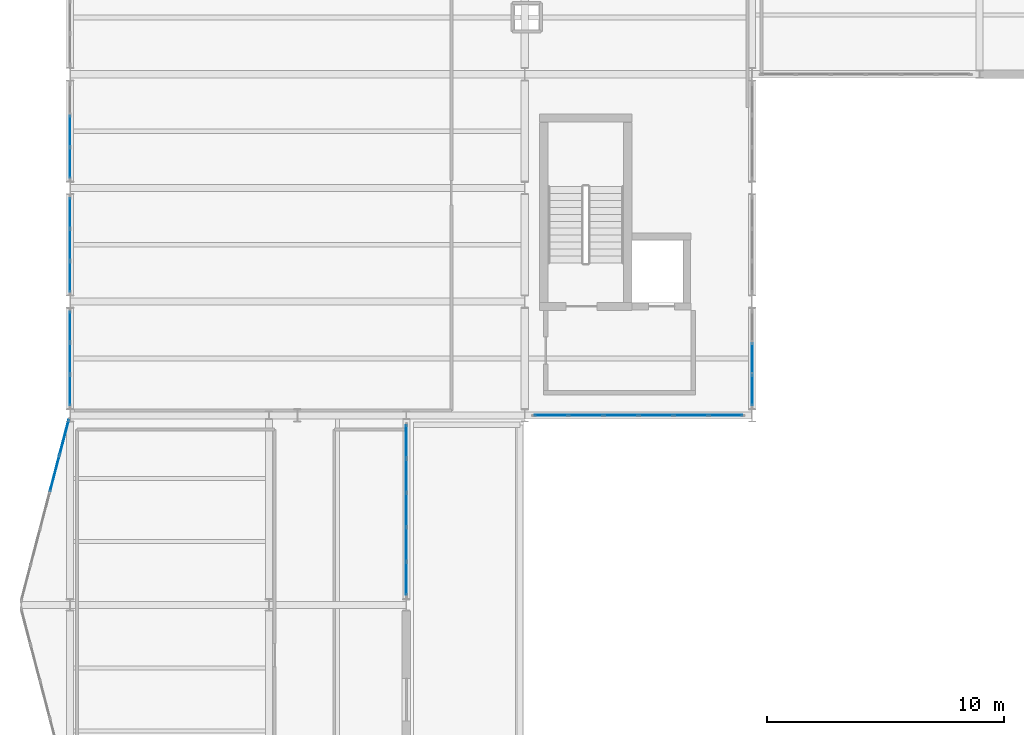
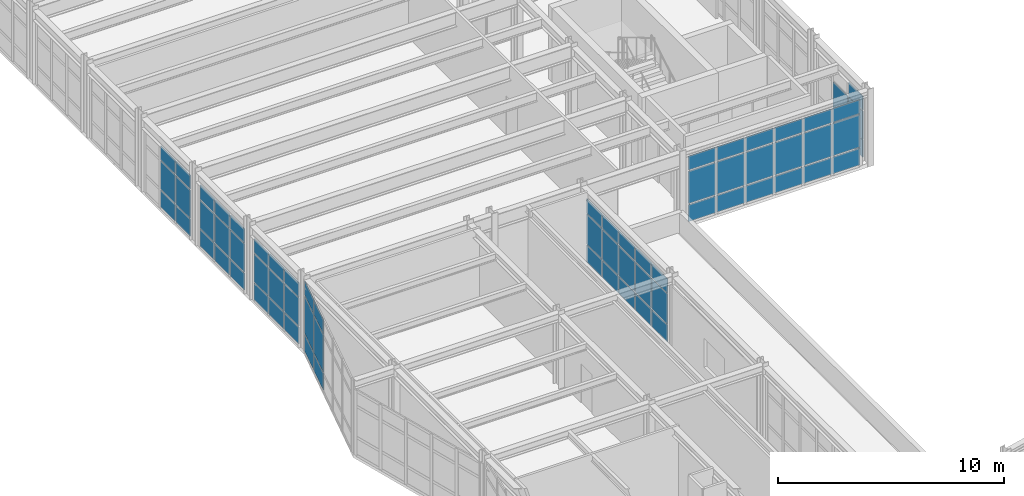
# One storey, part 44 of 64: 68 plates, 7 elements without a shape of their own.
"""IFC4 building model written with IfcOpenShell, lengths in metres."""

from ifc_helpers import new_model, si_unit, direction, frame, origin, origin_2d, place, context, subcontext, project, spatial, rectangle, extrude, material, layer, layer_set, type_object, element, aggregate, save


model = new_model("IFC4")

# Units and contexts
model_context = context("Model", 3, precision=1e-05, world=origin(), true_north=direction((0.0, 1.0)))
body_context = subcontext(model_context, "Body", "Model", "MODEL_VIEW")
ifc_project = project(units=[si_unit("LENGTHUNIT", "METRE"), si_unit("AREAUNIT", "SQUARE_METRE"), si_unit("VOLUMEUNIT", "CUBIC_METRE"), si_unit("PLANEANGLEUNIT", "RADIAN"), si_unit("MASSUNIT", "GRAM", prefix="KILO")], contexts=[model_context])

# Site, building, storey
site_placement = place(None, origin())
site = spatial("IfcSite", under=ifc_project, at=site_placement, CompositionType="ELEMENT")
building_placement = place(site_placement, origin())
building = spatial("IfcBuilding", under=site, at=building_placement, Name="Nordkorset Police Headquarters", CompositionType="ELEMENT")
storey_placement = place(building_placement, frame((0.0, 0.0, 17.85009765625)))
storey = spatial("IfcBuildingStorey", under=building, at=storey_placement, Name="L04", CompositionType="ELEMENT", Elevation=17.85009765625)

# Curtain wall, plates
ifc_material_1 = material(Name="Aluminium alloy AW-6060", Category="aluminium")
ifc_layer_1 = layer(ifc_material_1, 0.179931640625, Name="Aluminium alloy AW-6060")
ifc_layer_set_1 = layer_set([ifc_layer_1], Name="Aluminium alloy AW-6060")
curtain_wall_type_1 = type_object("IfcCurtainWallType", Name="CW_Unit_408x343", PredefinedType="USERDEFINED", material=ifc_layer_set_1)
curtain_wall_1_placement = place(storey_placement, origin())
curtain_wall_1 = element("IfcCurtainWall", 1, at=curtain_wall_1_placement, inside=storey, type_object=curtain_wall_type_1, Name="Unitised Curtain Wall L04 V1W-0", ObjectType="UNITISED CURTAIN WALL", PredefinedType="USERDEFINED")
ifc_material_2 = material(Name="Low-iron triple glazing", Category="glass")
ifc_layer_2 = layer(ifc_material_2, 0.035888671875, Name="Low-iron triple glazing")
ifc_layer_set_2 = layer_set([ifc_layer_2], Name="Low-iron triple glazing")
plate_type = type_object("IfcPlateType", Name="CW_Panel_TripleGlazing_36", PredefinedType="CURTAIN_PANEL", material=ifc_layer_set_2)
plate_1_placement = place(storey_placement, frame((0.0, 84.25634765625, 0.06494140625), z_axis=(0.0, 0.0, 1.0), x_axis=(0.0, 1.0, 0.0)))
plate_1 = element("IfcPlate", 2, at=plate_1_placement, type_object=plate_type, Name="CW-89 panel 1.1", PredefinedType="CURTAIN_PANEL", context=body_context, shape_type="SweptSolid", body=[
    extrude(rectangle(XDim=1.262451171875, YDim=0.035888671875, at=origin_2d()), origin(), (0.0, 0.0, 1.0), 0.902587890625),
])
plate_2_placement = place(storey_placement, frame((0.0, 84.25634765625, 1.0322265625), z_axis=(0.0, 0.0, 1.0), x_axis=(0.0, 1.0, 0.0)))
plate_2 = element("IfcPlate", 3, at=plate_2_placement, type_object=plate_type, Name="CW-89 panel 1.2", PredefinedType="CURTAIN_PANEL", context=body_context, shape_type="SweptSolid", body=[
    extrude(rectangle(XDim=1.262451171875, YDim=0.035888671875, at=origin_2d()), origin(), (0.0, 0.0, 1.0), 1.514892578125),
])
plate_3_placement = place(storey_placement, frame((0.0, 84.25634765625, 2.612548828125), z_axis=(0.0, 0.0, 1.0), x_axis=(0.0, 1.0, 0.0)))
plate_3 = element("IfcPlate", 4, at=plate_3_placement, type_object=plate_type, Name="CW-89 panel 1.3", PredefinedType="CURTAIN_PANEL", context=body_context, shape_type="SweptSolid", body=[
    extrude(rectangle(XDim=1.262451171875, YDim=0.035888671875, at=origin_2d()), origin(), (0.0, 0.0, 1.0), 0.75244140625),
])
plate_4_placement = place(storey_placement, frame((0.0, 85.60009765625, 0.06494140625), z_axis=(0.0, 0.0, 1.0), x_axis=(0.0, 1.0, 0.0)))
plate_4 = element("IfcPlate", 5, at=plate_4_placement, type_object=plate_type, Name="CW-89 panel 2.1", PredefinedType="CURTAIN_PANEL", context=body_context, shape_type="SweptSolid", body=[
    extrude(rectangle(XDim=1.294921875, YDim=0.035888671875, at=origin_2d()), origin(), (0.0, 0.0, 1.0), 0.902587890625),
])
plate_5_placement = place(storey_placement, frame((0.0, 85.60009765625, 1.0322265625), z_axis=(0.0, 0.0, 1.0), x_axis=(0.0, 1.0, 0.0)))
plate_5 = element("IfcPlate", 6, at=plate_5_placement, type_object=plate_type, Name="CW-89 panel 2.2", PredefinedType="CURTAIN_PANEL", context=body_context, shape_type="SweptSolid", body=[
    extrude(rectangle(XDim=1.294921875, YDim=0.035888671875, at=origin_2d()), origin(), (0.0, 0.0, 1.0), 1.514892578125),
])
plate_6_placement = place(storey_placement, frame((0.0, 85.60009765625, 2.612548828125), z_axis=(0.0, 0.0, 1.0), x_axis=(0.0, 1.0, 0.0)))
plate_6 = element("IfcPlate", 7, at=plate_6_placement, type_object=plate_type, Name="CW-89 panel 2.3", PredefinedType="CURTAIN_PANEL", context=body_context, shape_type="SweptSolid", body=[
    extrude(rectangle(XDim=1.294921875, YDim=0.035888671875, at=origin_2d()), origin(), (0.0, 0.0, 1.0), 0.75244140625),
])
plate_7_placement = place(storey_placement, frame((0.0, 86.94384765625, 0.06494140625), z_axis=(0.0, 0.0, 1.0), x_axis=(0.0, 1.0, 0.0)))
plate_7 = element("IfcPlate", 8, at=plate_7_placement, type_object=plate_type, Name="CW-89 panel 3.1", PredefinedType="CURTAIN_PANEL", context=body_context, shape_type="SweptSolid", body=[
    extrude(rectangle(XDim=1.262451171875, YDim=0.035888671875, at=origin_2d()), origin(), (0.0, 0.0, 1.0), 0.902587890625),
])
plate_8_placement = place(storey_placement, frame((0.0, 86.94384765625, 1.0322265625), z_axis=(0.0, 0.0, 1.0), x_axis=(0.0, 1.0, 0.0)))
plate_8 = element("IfcPlate", 9, at=plate_8_placement, type_object=plate_type, Name="CW-89 panel 3.2", PredefinedType="CURTAIN_PANEL", context=body_context, shape_type="SweptSolid", body=[
    extrude(rectangle(XDim=1.262451171875, YDim=0.035888671875, at=origin_2d()), origin(), (0.0, 0.0, 1.0), 1.514892578125),
])
plate_9_placement = place(storey_placement, frame((0.0, 86.94384765625, 2.612548828125), z_axis=(0.0, 0.0, 1.0), x_axis=(0.0, 1.0, 0.0)))
plate_9 = element("IfcPlate", 10, at=plate_9_placement, type_object=plate_type, Name="CW-89 panel 3.3", PredefinedType="CURTAIN_PANEL", context=body_context, shape_type="SweptSolid", body=[
    extrude(rectangle(XDim=1.262451171875, YDim=0.035888671875, at=origin_2d()), origin(), (0.0, 0.0, 1.0), 0.75244140625),
])
aggregate(curtain_wall_1, [plate_1, plate_2, plate_3, plate_4, plate_5, plate_6, plate_7, plate_8, plate_9])

curtain_wall_2_placement = place(storey_placement, origin())
curtain_wall_2 = element("IfcCurtainWall", 11, at=curtain_wall_2_placement, inside=storey, type_object=curtain_wall_type_1, Name="Unitised Curtain Wall L04 V1W-1", ObjectType="UNITISED CURTAIN WALL", PredefinedType="USERDEFINED")
plate_10_placement = place(storey_placement, frame((0.0, 89.05615234375, 0.06494140625), z_axis=(0.0, 0.0, 1.0), x_axis=(0.0, 1.0, 0.0)))
plate_10 = element("IfcPlate", 12, at=plate_10_placement, type_object=plate_type, Name="CW-89 panel 1.1", PredefinedType="CURTAIN_PANEL", context=body_context, shape_type="SweptSolid", body=[
    extrude(rectangle(XDim=1.262451171875, YDim=0.035888671875, at=origin_2d()), origin(), (0.0, 0.0, 1.0), 0.902587890625),
])
plate_11_placement = place(storey_placement, frame((0.0, 89.05615234375, 1.0322265625), z_axis=(0.0, 0.0, 1.0), x_axis=(0.0, 1.0, 0.0)))
plate_11 = element("IfcPlate", 13, at=plate_11_placement, type_object=plate_type, Name="CW-89 panel 1.2", PredefinedType="CURTAIN_PANEL", context=body_context, shape_type="SweptSolid", body=[
    extrude(rectangle(XDim=1.262451171875, YDim=0.035888671875, at=origin_2d()), origin(), (0.0, 0.0, 1.0), 1.514892578125),
])
plate_12_placement = place(storey_placement, frame((0.0, 89.05615234375, 2.612548828125), z_axis=(0.0, 0.0, 1.0), x_axis=(0.0, 1.0, 0.0)))
plate_12 = element("IfcPlate", 14, at=plate_12_placement, type_object=plate_type, Name="CW-89 panel 1.3", PredefinedType="CURTAIN_PANEL", context=body_context, shape_type="SweptSolid", body=[
    extrude(rectangle(XDim=1.262451171875, YDim=0.035888671875, at=origin_2d()), origin(), (0.0, 0.0, 1.0), 0.75244140625),
])
plate_13_placement = place(storey_placement, frame((0.0, 90.39990234375, 0.06494140625), z_axis=(0.0, 0.0, 1.0), x_axis=(0.0, 1.0, 0.0)))
plate_13 = element("IfcPlate", 15, at=plate_13_placement, type_object=plate_type, Name="CW-89 panel 2.1", PredefinedType="CURTAIN_PANEL", context=body_context, shape_type="SweptSolid", body=[
    extrude(rectangle(XDim=1.294921875, YDim=0.035888671875, at=origin_2d()), origin(), (0.0, 0.0, 1.0), 0.902587890625),
])
plate_14_placement = place(storey_placement, frame((0.0, 90.39990234375, 1.0322265625), z_axis=(0.0, 0.0, 1.0), x_axis=(0.0, 1.0, 0.0)))
plate_14 = element("IfcPlate", 16, at=plate_14_placement, type_object=plate_type, Name="CW-89 panel 2.2", PredefinedType="CURTAIN_PANEL", context=body_context, shape_type="SweptSolid", body=[
    extrude(rectangle(XDim=1.294921875, YDim=0.035888671875, at=origin_2d()), origin(), (0.0, 0.0, 1.0), 1.514892578125),
])
plate_15_placement = place(storey_placement, frame((0.0, 90.39990234375, 2.612548828125), z_axis=(0.0, 0.0, 1.0), x_axis=(0.0, 1.0, 0.0)))
plate_15 = element("IfcPlate", 17, at=plate_15_placement, type_object=plate_type, Name="CW-89 panel 2.3", PredefinedType="CURTAIN_PANEL", context=body_context, shape_type="SweptSolid", body=[
    extrude(rectangle(XDim=1.294921875, YDim=0.035888671875, at=origin_2d()), origin(), (0.0, 0.0, 1.0), 0.75244140625),
])
plate_16_placement = place(storey_placement, frame((0.0, 91.74365234375, 0.06494140625), z_axis=(0.0, 0.0, 1.0), x_axis=(0.0, 1.0, 0.0)))
plate_16 = element("IfcPlate", 18, at=plate_16_placement, type_object=plate_type, Name="CW-89 panel 3.1", PredefinedType="CURTAIN_PANEL", context=body_context, shape_type="SweptSolid", body=[
    extrude(rectangle(XDim=1.262451171875, YDim=0.035888671875, at=origin_2d()), origin(), (0.0, 0.0, 1.0), 0.902587890625),
])
plate_17_placement = place(storey_placement, frame((0.0, 91.74365234375, 1.0322265625), z_axis=(0.0, 0.0, 1.0), x_axis=(0.0, 1.0, 0.0)))
plate_17 = element("IfcPlate", 19, at=plate_17_placement, type_object=plate_type, Name="CW-89 panel 3.2", PredefinedType="CURTAIN_PANEL", context=body_context, shape_type="SweptSolid", body=[
    extrude(rectangle(XDim=1.262451171875, YDim=0.035888671875, at=origin_2d()), origin(), (0.0, 0.0, 1.0), 1.514892578125),
])
plate_18_placement = place(storey_placement, frame((0.0, 91.74365234375, 2.612548828125), z_axis=(0.0, 0.0, 1.0), x_axis=(0.0, 1.0, 0.0)))
plate_18 = element("IfcPlate", 20, at=plate_18_placement, type_object=plate_type, Name="CW-89 panel 3.3", PredefinedType="CURTAIN_PANEL", context=body_context, shape_type="SweptSolid", body=[
    extrude(rectangle(XDim=1.262451171875, YDim=0.035888671875, at=origin_2d()), origin(), (0.0, 0.0, 1.0), 0.75244140625),
])
aggregate(curtain_wall_2, [plate_10, plate_11, plate_12, plate_13, plate_14, plate_15, plate_16, plate_17, plate_18])

curtain_wall_3_placement = place(storey_placement, origin())
curtain_wall_3 = element("IfcCurtainWall", 21, at=curtain_wall_3_placement, inside=storey, type_object=curtain_wall_type_1, Name="Unitised Curtain Wall L04 V1W-2", ObjectType="UNITISED CURTAIN WALL", PredefinedType="USERDEFINED")
plate_19_placement = place(storey_placement, frame((0.0, 93.856201171875, 0.06494140625), z_axis=(0.0, 0.0, 1.0), x_axis=(0.0, 1.0, 0.0)))
plate_19 = element("IfcPlate", 22, at=plate_19_placement, type_object=plate_type, Name="CW-89 panel 1.1", PredefinedType="CURTAIN_PANEL", context=body_context, shape_type="SweptSolid", body=[
    extrude(rectangle(XDim=1.262451171875, YDim=0.035888671875, at=origin_2d()), origin(), (0.0, 0.0, 1.0), 0.902587890625),
])
plate_20_placement = place(storey_placement, frame((0.0, 93.856201171875, 1.0322265625), z_axis=(0.0, 0.0, 1.0), x_axis=(0.0, 1.0, 0.0)))
plate_20 = element("IfcPlate", 23, at=plate_20_placement, type_object=plate_type, Name="CW-89 panel 1.2", PredefinedType="CURTAIN_PANEL", context=body_context, shape_type="SweptSolid", body=[
    extrude(rectangle(XDim=1.262451171875, YDim=0.035888671875, at=origin_2d()), origin(), (0.0, 0.0, 1.0), 1.514892578125),
])
plate_21_placement = place(storey_placement, frame((0.0, 93.856201171875, 2.612548828125), z_axis=(0.0, 0.0, 1.0), x_axis=(0.0, 1.0, 0.0)))
plate_21 = element("IfcPlate", 24, at=plate_21_placement, type_object=plate_type, Name="CW-89 panel 1.3", PredefinedType="CURTAIN_PANEL", context=body_context, shape_type="SweptSolid", body=[
    extrude(rectangle(XDim=1.262451171875, YDim=0.035888671875, at=origin_2d()), origin(), (0.0, 0.0, 1.0), 0.75244140625),
])
plate_22_placement = place(storey_placement, frame((0.0, 95.199951171875, 0.06494140625), z_axis=(0.0, 0.0, 1.0), x_axis=(0.0, 1.0, 0.0)))
plate_22 = element("IfcPlate", 25, at=plate_22_placement, type_object=plate_type, Name="CW-89 panel 2.1", PredefinedType="CURTAIN_PANEL", context=body_context, shape_type="SweptSolid", body=[
    extrude(rectangle(XDim=1.294921875, YDim=0.035888671875, at=origin_2d()), origin(), (0.0, 0.0, 1.0), 0.902587890625),
])
plate_23_placement = place(storey_placement, frame((0.0, 95.199951171875, 1.0322265625), z_axis=(0.0, 0.0, 1.0), x_axis=(0.0, 1.0, 0.0)))
plate_23 = element("IfcPlate", 26, at=plate_23_placement, type_object=plate_type, Name="CW-89 panel 2.2", PredefinedType="CURTAIN_PANEL", context=body_context, shape_type="SweptSolid", body=[
    extrude(rectangle(XDim=1.294921875, YDim=0.035888671875, at=origin_2d()), origin(), (0.0, 0.0, 1.0), 1.514892578125),
])
plate_24_placement = place(storey_placement, frame((0.0, 95.199951171875, 2.612548828125), z_axis=(0.0, 0.0, 1.0), x_axis=(0.0, 1.0, 0.0)))
plate_24 = element("IfcPlate", 27, at=plate_24_placement, type_object=plate_type, Name="CW-89 panel 2.3", PredefinedType="CURTAIN_PANEL", context=body_context, shape_type="SweptSolid", body=[
    extrude(rectangle(XDim=1.294921875, YDim=0.035888671875, at=origin_2d()), origin(), (0.0, 0.0, 1.0), 0.75244140625),
])
aggregate(curtain_wall_3, [plate_19, plate_20, plate_21, plate_22, plate_23, plate_24])

curtain_wall_4_placement = place(storey_placement, origin())
curtain_wall_4 = element("IfcCurtainWall", 28, at=curtain_wall_4_placement, inside=storey, type_object=curtain_wall_type_1, Name="Unitised Curtain Wall L04 V1E-0", ObjectType="UNITISED CURTAIN WALL", PredefinedType="USERDEFINED")
plate_25_placement = place(storey_placement, frame((28.800048828125, 84.25634765625, 0.06494140625), z_axis=(0.0, 0.0, 1.0), x_axis=(0.0, 1.0, 0.0)))
plate_25 = element("IfcPlate", 29, at=plate_25_placement, type_object=plate_type, Name="CW-89 panel 1.1", PredefinedType="CURTAIN_PANEL", context=body_context, shape_type="SweptSolid", body=[
    extrude(rectangle(XDim=1.262451171875, YDim=0.035888671875, at=origin_2d()), origin(), (0.0, 0.0, 1.0), 0.902587890625),
])
plate_26_placement = place(storey_placement, frame((28.800048828125, 84.25634765625, 1.0322265625), z_axis=(0.0, 0.0, 1.0), x_axis=(0.0, 1.0, 0.0)))
plate_26 = element("IfcPlate", 30, at=plate_26_placement, type_object=plate_type, Name="CW-89 panel 1.2", PredefinedType="CURTAIN_PANEL", context=body_context, shape_type="SweptSolid", body=[
    extrude(rectangle(XDim=1.262451171875, YDim=0.035888671875, at=origin_2d()), origin(), (0.0, 0.0, 1.0), 1.514892578125),
])
plate_27_placement = place(storey_placement, frame((28.800048828125, 84.25634765625, 2.612548828125), z_axis=(0.0, 0.0, 1.0), x_axis=(0.0, 1.0, 0.0)))
plate_27 = element("IfcPlate", 31, at=plate_27_placement, type_object=plate_type, Name="CW-89 panel 1.3", PredefinedType="CURTAIN_PANEL", context=body_context, shape_type="SweptSolid", body=[
    extrude(rectangle(XDim=1.262451171875, YDim=0.035888671875, at=origin_2d()), origin(), (0.0, 0.0, 1.0), 0.75244140625),
])
plate_28_placement = place(storey_placement, frame((28.800048828125, 85.60009765625, 0.06494140625), z_axis=(0.0, 0.0, 1.0), x_axis=(0.0, 1.0, 0.0)))
plate_28 = element("IfcPlate", 32, at=plate_28_placement, type_object=plate_type, Name="CW-89 panel 2.1", PredefinedType="CURTAIN_PANEL", context=body_context, shape_type="SweptSolid", body=[
    extrude(rectangle(XDim=1.294921875, YDim=0.035888671875, at=origin_2d()), origin(), (0.0, 0.0, 1.0), 0.902587890625),
])
plate_29_placement = place(storey_placement, frame((28.800048828125, 85.60009765625, 1.0322265625), z_axis=(0.0, 0.0, 1.0), x_axis=(0.0, 1.0, 0.0)))
plate_29 = element("IfcPlate", 33, at=plate_29_placement, type_object=plate_type, Name="CW-89 panel 2.2", PredefinedType="CURTAIN_PANEL", context=body_context, shape_type="SweptSolid", body=[
    extrude(rectangle(XDim=1.294921875, YDim=0.035888671875, at=origin_2d()), origin(), (0.0, 0.0, 1.0), 1.514892578125),
])
aggregate(curtain_wall_4, [plate_25, plate_26, plate_27, plate_28, plate_29])

ifc_material_3 = material(Name="Aluminium alloy AW-6060", Category="aluminium")
ifc_layer_3 = layer(ifc_material_3, 0.179931640625, Name="Aluminium alloy AW-6060")
ifc_layer_set_3 = layer_set([ifc_layer_3], Name="Aluminium alloy AW-6060")
curtain_wall_type_2 = type_object("IfcCurtainWallType", Name="CW_Unit_888x366", PredefinedType="USERDEFINED", material=ifc_layer_set_3)
curtain_wall_5_placement = place(storey_placement, origin())
curtain_wall_5 = element("IfcCurtainWall", 34, at=curtain_wall_5_placement, inside=storey, type_object=curtain_wall_type_2, Name="Unitised Curtain Wall L04 V1S-2", ObjectType="UNITISED CURTAIN WALL", PredefinedType="USERDEFINED")
plate_30_placement = place(storey_placement, frame((20.316162109375, 83.199951171875, 0.06494140625), z_axis=(0.0, 0.0, 1.0), x_axis=(1.0, 0.0, 0.0)))
plate_30 = element("IfcPlate", 35, at=plate_30_placement, type_object=plate_type, Name="CW-19 panel 1.1", PredefinedType="CURTAIN_PANEL", context=body_context, shape_type="SweptSolid", body=[
    extrude(rectangle(XDim=1.382568359375, YDim=0.035888671875, at=origin_2d()), origin(), (0.0, 0.0, 1.0), 0.902587890625),
])
plate_31_placement = place(storey_placement, frame((20.316162109375, 83.199951171875, 1.0322265625), z_axis=(0.0, 0.0, 1.0), x_axis=(1.0, 0.0, 0.0)))
plate_31 = element("IfcPlate", 36, at=plate_31_placement, type_object=plate_type, Name="CW-19 panel 1.2", PredefinedType="CURTAIN_PANEL", context=body_context, shape_type="SweptSolid", body=[
    extrude(rectangle(XDim=1.382568359375, YDim=0.035888671875, at=origin_2d()), origin(), (0.0, 0.0, 1.0), 1.7451171875),
])
plate_32_placement = place(storey_placement, frame((20.316162109375, 83.199951171875, 2.842529296875), z_axis=(0.0, 0.0, 1.0), x_axis=(1.0, 0.0, 0.0)))
plate_32 = element("IfcPlate", 37, at=plate_32_placement, type_object=plate_type, Name="CW-19 panel 1.3", PredefinedType="CURTAIN_PANEL", context=body_context, shape_type="SweptSolid", body=[
    extrude(rectangle(XDim=1.382568359375, YDim=0.035888671875, at=origin_2d()), origin(), (0.0, 0.0, 1.0), 0.75244140625),
])
plate_33_placement = place(storey_placement, frame((21.780029296875, 83.199951171875, 0.06494140625), z_axis=(0.0, 0.0, 1.0), x_axis=(1.0, 0.0, 0.0)))
plate_33 = element("IfcPlate", 38, at=plate_33_placement, type_object=plate_type, Name="CW-19 panel 2.1", PredefinedType="CURTAIN_PANEL", context=body_context, shape_type="SweptSolid", body=[
    extrude(rectangle(XDim=1.4150390625, YDim=0.035888671875, at=origin_2d()), origin(), (0.0, 0.0, 1.0), 0.902587890625),
])
plate_34_placement = place(storey_placement, frame((21.780029296875, 83.199951171875, 1.0322265625), z_axis=(0.0, 0.0, 1.0), x_axis=(1.0, 0.0, 0.0)))
plate_34 = element("IfcPlate", 39, at=plate_34_placement, type_object=plate_type, Name="CW-19 panel 2.2", PredefinedType="CURTAIN_PANEL", context=body_context, shape_type="SweptSolid", body=[
    extrude(rectangle(XDim=1.4150390625, YDim=0.035888671875, at=origin_2d()), origin(), (0.0, 0.0, 1.0), 1.7451171875),
])
plate_35_placement = place(storey_placement, frame((21.780029296875, 83.199951171875, 2.842529296875), z_axis=(0.0, 0.0, 1.0), x_axis=(1.0, 0.0, 0.0)))
plate_35 = element("IfcPlate", 40, at=plate_35_placement, type_object=plate_type, Name="CW-19 panel 2.3", PredefinedType="CURTAIN_PANEL", context=body_context, shape_type="SweptSolid", body=[
    extrude(rectangle(XDim=1.4150390625, YDim=0.035888671875, at=origin_2d()), origin(), (0.0, 0.0, 1.0), 0.75244140625),
])
plate_36_placement = place(storey_placement, frame((23.260009765625, 83.199951171875, 0.06494140625), z_axis=(0.0, 0.0, 1.0), x_axis=(1.0, 0.0, 0.0)))
plate_36 = element("IfcPlate", 41, at=plate_36_placement, type_object=plate_type, Name="CW-19 panel 3.1", PredefinedType="CURTAIN_PANEL", context=body_context, shape_type="SweptSolid", body=[
    extrude(rectangle(XDim=1.4150390625, YDim=0.035888671875, at=origin_2d()), origin(), (0.0, 0.0, 1.0), 0.902587890625),
])
plate_37_placement = place(storey_placement, frame((23.260009765625, 83.199951171875, 1.0322265625), z_axis=(0.0, 0.0, 1.0), x_axis=(1.0, 0.0, 0.0)))
plate_37 = element("IfcPlate", 42, at=plate_37_placement, type_object=plate_type, Name="CW-19 panel 3.2", PredefinedType="CURTAIN_PANEL", context=body_context, shape_type="SweptSolid", body=[
    extrude(rectangle(XDim=1.4150390625, YDim=0.035888671875, at=origin_2d()), origin(), (0.0, 0.0, 1.0), 1.7451171875),
])
plate_38_placement = place(storey_placement, frame((23.260009765625, 83.199951171875, 2.842529296875), z_axis=(0.0, 0.0, 1.0), x_axis=(1.0, 0.0, 0.0)))
plate_38 = element("IfcPlate", 43, at=plate_38_placement, type_object=plate_type, Name="CW-19 panel 3.3", PredefinedType="CURTAIN_PANEL", context=body_context, shape_type="SweptSolid", body=[
    extrude(rectangle(XDim=1.4150390625, YDim=0.035888671875, at=origin_2d()), origin(), (0.0, 0.0, 1.0), 0.75244140625),
])
plate_39_placement = place(storey_placement, frame((24.739990234375, 83.199951171875, 0.06494140625), z_axis=(0.0, 0.0, 1.0), x_axis=(1.0, 0.0, 0.0)))
plate_39 = element("IfcPlate", 44, at=plate_39_placement, type_object=plate_type, Name="CW-19 panel 4.1", PredefinedType="CURTAIN_PANEL", context=body_context, shape_type="SweptSolid", body=[
    extrude(rectangle(XDim=1.4150390625, YDim=0.035888671875, at=origin_2d()), origin(), (0.0, 0.0, 1.0), 0.902587890625),
])
plate_40_placement = place(storey_placement, frame((24.739990234375, 83.199951171875, 1.0322265625), z_axis=(0.0, 0.0, 1.0), x_axis=(1.0, 0.0, 0.0)))
plate_40 = element("IfcPlate", 45, at=plate_40_placement, type_object=plate_type, Name="CW-19 panel 4.2", PredefinedType="CURTAIN_PANEL", context=body_context, shape_type="SweptSolid", body=[
    extrude(rectangle(XDim=1.4150390625, YDim=0.035888671875, at=origin_2d()), origin(), (0.0, 0.0, 1.0), 1.7451171875),
])
plate_41_placement = place(storey_placement, frame((24.739990234375, 83.199951171875, 2.842529296875), z_axis=(0.0, 0.0, 1.0), x_axis=(1.0, 0.0, 0.0)))
plate_41 = element("IfcPlate", 46, at=plate_41_placement, type_object=plate_type, Name="CW-19 panel 4.3", PredefinedType="CURTAIN_PANEL", context=body_context, shape_type="SweptSolid", body=[
    extrude(rectangle(XDim=1.4150390625, YDim=0.035888671875, at=origin_2d()), origin(), (0.0, 0.0, 1.0), 0.75244140625),
])
plate_42_placement = place(storey_placement, frame((26.219970703125, 83.199951171875, 0.06494140625), z_axis=(0.0, 0.0, 1.0), x_axis=(1.0, 0.0, 0.0)))
plate_42 = element("IfcPlate", 47, at=plate_42_placement, type_object=plate_type, Name="CW-19 panel 5.1", PredefinedType="CURTAIN_PANEL", context=body_context, shape_type="SweptSolid", body=[
    extrude(rectangle(XDim=1.4150390625, YDim=0.035888671875, at=origin_2d()), origin(), (0.0, 0.0, 1.0), 0.902587890625),
])
plate_43_placement = place(storey_placement, frame((26.219970703125, 83.199951171875, 1.0322265625), z_axis=(0.0, 0.0, 1.0), x_axis=(1.0, 0.0, 0.0)))
plate_43 = element("IfcPlate", 48, at=plate_43_placement, type_object=plate_type, Name="CW-19 panel 5.2", PredefinedType="CURTAIN_PANEL", context=body_context, shape_type="SweptSolid", body=[
    extrude(rectangle(XDim=1.4150390625, YDim=0.035888671875, at=origin_2d()), origin(), (0.0, 0.0, 1.0), 1.7451171875),
])
plate_44_placement = place(storey_placement, frame((26.219970703125, 83.199951171875, 2.842529296875), z_axis=(0.0, 0.0, 1.0), x_axis=(1.0, 0.0, 0.0)))
plate_44 = element("IfcPlate", 49, at=plate_44_placement, type_object=plate_type, Name="CW-19 panel 5.3", PredefinedType="CURTAIN_PANEL", context=body_context, shape_type="SweptSolid", body=[
    extrude(rectangle(XDim=1.4150390625, YDim=0.035888671875, at=origin_2d()), origin(), (0.0, 0.0, 1.0), 0.75244140625),
])
plate_45_placement = place(storey_placement, frame((27.683837890625, 83.199951171875, 0.06494140625), z_axis=(0.0, 0.0, 1.0), x_axis=(1.0, 0.0, 0.0)))
plate_45 = element("IfcPlate", 50, at=plate_45_placement, type_object=plate_type, Name="CW-19 panel 6.1", PredefinedType="CURTAIN_PANEL", context=body_context, shape_type="SweptSolid", body=[
    extrude(rectangle(XDim=1.382568359375, YDim=0.035888671875, at=origin_2d()), origin(), (0.0, 0.0, 1.0), 0.902587890625),
])
plate_46_placement = place(storey_placement, frame((27.683837890625, 83.199951171875, 1.0322265625), z_axis=(0.0, 0.0, 1.0), x_axis=(1.0, 0.0, 0.0)))
plate_46 = element("IfcPlate", 51, at=plate_46_placement, type_object=plate_type, Name="CW-19 panel 6.2", PredefinedType="CURTAIN_PANEL", context=body_context, shape_type="SweptSolid", body=[
    extrude(rectangle(XDim=1.382568359375, YDim=0.035888671875, at=origin_2d()), origin(), (0.0, 0.0, 1.0), 1.7451171875),
])
plate_47_placement = place(storey_placement, frame((27.683837890625, 83.199951171875, 2.842529296875), z_axis=(0.0, 0.0, 1.0), x_axis=(1.0, 0.0, 0.0)))
plate_47 = element("IfcPlate", 52, at=plate_47_placement, type_object=plate_type, Name="CW-19 panel 6.3", PredefinedType="CURTAIN_PANEL", context=body_context, shape_type="SweptSolid", body=[
    extrude(rectangle(XDim=1.382568359375, YDim=0.035888671875, at=origin_2d()), origin(), (0.0, 0.0, 1.0), 0.75244140625),
])
aggregate(curtain_wall_5, [plate_30, plate_31, plate_32, plate_33, plate_34, plate_35, plate_36, plate_37, plate_38, plate_39, plate_40, plate_41, plate_42, plate_43, plate_44, plate_45, plate_46, plate_47])

ifc_material_4 = material(Name="Aluminium alloy AW-6060", Category="aluminium")
ifc_layer_4 = layer(ifc_material_4, 0.179931640625, Name="Aluminium alloy AW-6060")
ifc_layer_set_4 = layer_set([ifc_layer_4], Name="Aluminium alloy AW-6060")
curtain_wall_type_3 = type_object("IfcCurtainWallType", Name="CW_Unit_799x392", PredefinedType="USERDEFINED", material=ifc_layer_set_4)
curtain_wall_6_placement = place(storey_placement, origin())
curtain_wall_6 = element("IfcCurtainWall", 53, at=curtain_wall_6_placement, inside=storey, type_object=curtain_wall_type_3, Name="Unitised Curtain Wall L04 V3W-5", ObjectType="UNITISED CURTAIN WALL", PredefinedType="USERDEFINED")
plate_48_placement = place(storey_placement, frame((-0.644287109375, 80.745849609375, 0.06494140625), z_axis=(0.0, 0.0, 1.0), x_axis=(0.25389698695, 0.967231265013, 0.0)))
plate_48 = element("IfcPlate", 54, at=plate_48_placement, type_object=plate_type, Name="CW-68 panel 4.1", PredefinedType="CURTAIN_PANEL", context=body_context, shape_type="SweptSolid", body=[
    extrude(rectangle(XDim=1.533203125, YDim=0.035888671875, at=origin_2d()), origin(), (0.0, 0.0, 1.0), 0.902587890625),
])
plate_49_placement = place(storey_placement, frame((-0.644287109375, 80.745849609375, 1.032470703125), z_axis=(0.0, 0.0, 1.0), x_axis=(0.25389698695, 0.967231265013, 0.0)))
plate_49 = element("IfcPlate", 55, at=plate_49_placement, type_object=plate_type, Name="CW-68 panel 4.2", PredefinedType="CURTAIN_PANEL", context=body_context, shape_type="SweptSolid", body=[
    extrude(rectangle(XDim=1.533203125, YDim=0.035888671875, at=origin_2d()), origin(), (0.0, 0.0, 1.0), 2.0048828125),
])
plate_50_placement = place(storey_placement, frame((-0.644287109375, 80.745849609375, 3.1025390625), z_axis=(0.0, 0.0, 1.0), x_axis=(0.25389698695, 0.967231265013, 0.0)))
plate_50 = element("IfcPlate", 56, at=plate_50_placement, type_object=plate_type, Name="CW-68 panel 4.3", PredefinedType="CURTAIN_PANEL", context=body_context, shape_type="SweptSolid", body=[
    extrude(rectangle(XDim=1.533203125, YDim=0.035888671875, at=origin_2d()), origin(), (0.0, 0.0, 1.0), 0.75244140625),
])
plate_51_placement = place(storey_placement, frame((-0.24267578125, 82.27587890625, 0.06494140625), z_axis=(0.0, 0.0, 1.0), x_axis=(0.25389698695, 0.967231265013, 0.0)))
plate_51 = element("IfcPlate", 57, at=plate_51_placement, type_object=plate_type, Name="CW-68 panel 5.1", PredefinedType="CURTAIN_PANEL", context=body_context, shape_type="SweptSolid", body=[
    extrude(rectangle(XDim=1.500732421875, YDim=0.035888671875, at=origin_2d()), origin(), (0.0, 0.0, 1.0), 0.902587890625),
])
plate_52_placement = place(storey_placement, frame((-0.24267578125, 82.27587890625, 1.032470703125), z_axis=(0.0, 0.0, 1.0), x_axis=(0.25389698695, 0.967231265013, 0.0)))
plate_52 = element("IfcPlate", 58, at=plate_52_placement, type_object=plate_type, Name="CW-68 panel 5.2", PredefinedType="CURTAIN_PANEL", context=body_context, shape_type="SweptSolid", body=[
    extrude(rectangle(XDim=1.500732421875, YDim=0.035888671875, at=origin_2d()), origin(), (0.0, 0.0, 1.0), 2.0048828125),
])
plate_53_placement = place(storey_placement, frame((-0.24267578125, 82.27587890625, 3.1025390625), z_axis=(0.0, 0.0, 1.0), x_axis=(0.25389698695, 0.967231265013, 0.0)))
plate_53 = element("IfcPlate", 59, at=plate_53_placement, type_object=plate_type, Name="CW-68 panel 5.3", PredefinedType="CURTAIN_PANEL", context=body_context, shape_type="SweptSolid", body=[
    extrude(rectangle(XDim=1.500732421875, YDim=0.035888671875, at=origin_2d()), origin(), (0.0, 0.0, 1.0), 0.75244140625),
])
aggregate(curtain_wall_6, [plate_48, plate_49, plate_50, plate_51, plate_52, plate_53])

ifc_material_5 = material(Name="Aluminium alloy AW-6060", Category="aluminium")
ifc_layer_5 = layer(ifc_material_5, 0.179931640625, Name="Aluminium alloy AW-6060")
ifc_layer_set_5 = layer_set([ifc_layer_5], Name="Aluminium alloy AW-6060")
curtain_wall_type_4 = type_object("IfcCurtainWallType", Name="CW_Unit_728x352", PredefinedType="USERDEFINED", material=ifc_layer_set_5)
curtain_wall_7_placement = place(storey_placement, origin())
curtain_wall_7 = element("IfcCurtainWall", 60, at=curtain_wall_7_placement, inside=storey, type_object=curtain_wall_type_4, Name="Unitised Curtain Wall L04 V3E-5", ObjectType="UNITISED CURTAIN WALL", PredefinedType="USERDEFINED")
plate_54_placement = place(storey_placement, frame((14.199951171875, 76.30419921875, 0.06494140625), z_axis=(0.0, 0.0, 1.0), x_axis=(0.0, 1.0, 0.0)))
plate_54 = element("IfcPlate", 61, at=plate_54_placement, type_object=plate_type, Name="CW-79 panel 1.1", PredefinedType="CURTAIN_PANEL", context=body_context, shape_type="SweptSolid", body=[
    extrude(rectangle(XDim=1.3583984375, YDim=0.035888671875, at=origin_2d()), origin(), (0.0, 0.0, 1.0), 0.902587890625),
])
plate_55_placement = place(storey_placement, frame((14.199951171875, 76.30419921875, 1.0322265625), z_axis=(0.0, 0.0, 1.0), x_axis=(0.0, 1.0, 0.0)))
plate_55 = element("IfcPlate", 62, at=plate_55_placement, type_object=plate_type, Name="CW-79 panel 1.2", PredefinedType="CURTAIN_PANEL", context=body_context, shape_type="SweptSolid", body=[
    extrude(rectangle(XDim=1.3583984375, YDim=0.035888671875, at=origin_2d()), origin(), (0.0, 0.0, 1.0), 1.610107421875),
])
plate_56_placement = place(storey_placement, frame((14.199951171875, 76.30419921875, 2.70751953125), z_axis=(0.0, 0.0, 1.0), x_axis=(0.0, 1.0, 0.0)))
plate_56 = element("IfcPlate", 63, at=plate_56_placement, type_object=plate_type, Name="CW-79 panel 1.3", PredefinedType="CURTAIN_PANEL", context=body_context, shape_type="SweptSolid", body=[
    extrude(rectangle(XDim=1.3583984375, YDim=0.035888671875, at=origin_2d()), origin(), (0.0, 0.0, 1.0), 0.75244140625),
])
plate_57_placement = place(storey_placement, frame((14.199951171875, 77.743896484375, 0.06494140625), z_axis=(0.0, 0.0, 1.0), x_axis=(0.0, 1.0, 0.0)))
plate_57 = element("IfcPlate", 64, at=plate_57_placement, type_object=plate_type, Name="CW-79 panel 2.1", PredefinedType="CURTAIN_PANEL", context=body_context, shape_type="SweptSolid", body=[
    extrude(rectangle(XDim=1.39111328125, YDim=0.035888671875, at=origin_2d()), origin(), (0.0, 0.0, 1.0), 0.902587890625),
])
plate_58_placement = place(storey_placement, frame((14.199951171875, 77.743896484375, 1.0322265625), z_axis=(0.0, 0.0, 1.0), x_axis=(0.0, 1.0, 0.0)))
plate_58 = element("IfcPlate", 65, at=plate_58_placement, type_object=plate_type, Name="CW-79 panel 2.2", PredefinedType="CURTAIN_PANEL", context=body_context, shape_type="SweptSolid", body=[
    extrude(rectangle(XDim=1.39111328125, YDim=0.035888671875, at=origin_2d()), origin(), (0.0, 0.0, 1.0), 1.610107421875),
])
plate_59_placement = place(storey_placement, frame((14.199951171875, 77.743896484375, 2.70751953125), z_axis=(0.0, 0.0, 1.0), x_axis=(0.0, 1.0, 0.0)))
plate_59 = element("IfcPlate", 66, at=plate_59_placement, type_object=plate_type, Name="CW-79 panel 2.3", PredefinedType="CURTAIN_PANEL", context=body_context, shape_type="SweptSolid", body=[
    extrude(rectangle(XDim=1.39111328125, YDim=0.035888671875, at=origin_2d()), origin(), (0.0, 0.0, 1.0), 0.75244140625),
])
plate_60_placement = place(storey_placement, frame((14.199951171875, 79.199951171875, 0.06494140625), z_axis=(0.0, 0.0, 1.0), x_axis=(0.0, 1.0, 0.0)))
plate_60 = element("IfcPlate", 67, at=plate_60_placement, type_object=plate_type, Name="CW-79 panel 3.1", PredefinedType="CURTAIN_PANEL", context=body_context, shape_type="SweptSolid", body=[
    extrude(rectangle(XDim=1.39111328125, YDim=0.035888671875, at=origin_2d()), origin(), (0.0, 0.0, 1.0), 0.902587890625),
])
plate_61_placement = place(storey_placement, frame((14.199951171875, 79.199951171875, 1.0322265625), z_axis=(0.0, 0.0, 1.0), x_axis=(0.0, 1.0, 0.0)))
plate_61 = element("IfcPlate", 68, at=plate_61_placement, type_object=plate_type, Name="CW-79 panel 3.2", PredefinedType="CURTAIN_PANEL", context=body_context, shape_type="SweptSolid", body=[
    extrude(rectangle(XDim=1.39111328125, YDim=0.035888671875, at=origin_2d()), origin(), (0.0, 0.0, 1.0), 1.610107421875),
])
plate_62_placement = place(storey_placement, frame((14.199951171875, 79.199951171875, 2.70751953125), z_axis=(0.0, 0.0, 1.0), x_axis=(0.0, 1.0, 0.0)))
plate_62 = element("IfcPlate", 69, at=plate_62_placement, type_object=plate_type, Name="CW-79 panel 3.3", PredefinedType="CURTAIN_PANEL", context=body_context, shape_type="SweptSolid", body=[
    extrude(rectangle(XDim=1.39111328125, YDim=0.035888671875, at=origin_2d()), origin(), (0.0, 0.0, 1.0), 0.75244140625),
])
plate_63_placement = place(storey_placement, frame((14.199951171875, 80.656005859375, 0.06494140625), z_axis=(0.0, 0.0, 1.0), x_axis=(0.0, 1.0, 0.0)))
plate_63 = element("IfcPlate", 70, at=plate_63_placement, type_object=plate_type, Name="CW-79 panel 4.1", PredefinedType="CURTAIN_PANEL", context=body_context, shape_type="SweptSolid", body=[
    extrude(rectangle(XDim=1.39111328125, YDim=0.035888671875, at=origin_2d()), origin(), (0.0, 0.0, 1.0), 0.902587890625),
])
plate_64_placement = place(storey_placement, frame((14.199951171875, 80.656005859375, 1.0322265625), z_axis=(0.0, 0.0, 1.0), x_axis=(0.0, 1.0, 0.0)))
plate_64 = element("IfcPlate", 71, at=plate_64_placement, type_object=plate_type, Name="CW-79 panel 4.2", PredefinedType="CURTAIN_PANEL", context=body_context, shape_type="SweptSolid", body=[
    extrude(rectangle(XDim=1.39111328125, YDim=0.035888671875, at=origin_2d()), origin(), (0.0, 0.0, 1.0), 1.610107421875),
])
plate_65_placement = place(storey_placement, frame((14.199951171875, 80.656005859375, 2.70751953125), z_axis=(0.0, 0.0, 1.0), x_axis=(0.0, 1.0, 0.0)))
plate_65 = element("IfcPlate", 72, at=plate_65_placement, type_object=plate_type, Name="CW-79 panel 4.3", PredefinedType="CURTAIN_PANEL", context=body_context, shape_type="SweptSolid", body=[
    extrude(rectangle(XDim=1.39111328125, YDim=0.035888671875, at=origin_2d()), origin(), (0.0, 0.0, 1.0), 0.75244140625),
])
plate_66_placement = place(storey_placement, frame((14.199951171875, 82.095703125, 0.06494140625), z_axis=(0.0, 0.0, 1.0), x_axis=(0.0, 1.0, 0.0)))
plate_66 = element("IfcPlate", 73, at=plate_66_placement, type_object=plate_type, Name="CW-79 panel 5.1", PredefinedType="CURTAIN_PANEL", context=body_context, shape_type="SweptSolid", body=[
    extrude(rectangle(XDim=1.3583984375, YDim=0.035888671875, at=origin_2d()), origin(), (0.0, 0.0, 1.0), 0.902587890625),
])
plate_67_placement = place(storey_placement, frame((14.199951171875, 82.095703125, 1.0322265625), z_axis=(0.0, 0.0, 1.0), x_axis=(0.0, 1.0, 0.0)))
plate_67 = element("IfcPlate", 74, at=plate_67_placement, type_object=plate_type, Name="CW-79 panel 5.2", PredefinedType="CURTAIN_PANEL", context=body_context, shape_type="SweptSolid", body=[
    extrude(rectangle(XDim=1.3583984375, YDim=0.035888671875, at=origin_2d()), origin(), (0.0, 0.0, 1.0), 1.610107421875),
])
plate_68_placement = place(storey_placement, frame((14.199951171875, 82.095703125, 2.70751953125), z_axis=(0.0, 0.0, 1.0), x_axis=(0.0, 1.0, 0.0)))
plate_68 = element("IfcPlate", 75, at=plate_68_placement, type_object=plate_type, Name="CW-79 panel 5.3", PredefinedType="CURTAIN_PANEL", context=body_context, shape_type="SweptSolid", body=[
    extrude(rectangle(XDim=1.3583984375, YDim=0.035888671875, at=origin_2d()), origin(), (0.0, 0.0, 1.0), 0.75244140625),
])
aggregate(curtain_wall_7, [plate_54, plate_55, plate_56, plate_57, plate_58, plate_59, plate_60, plate_61, plate_62, plate_63, plate_64, plate_65, plate_66, plate_67, plate_68])

save(model, "model.ifc")
